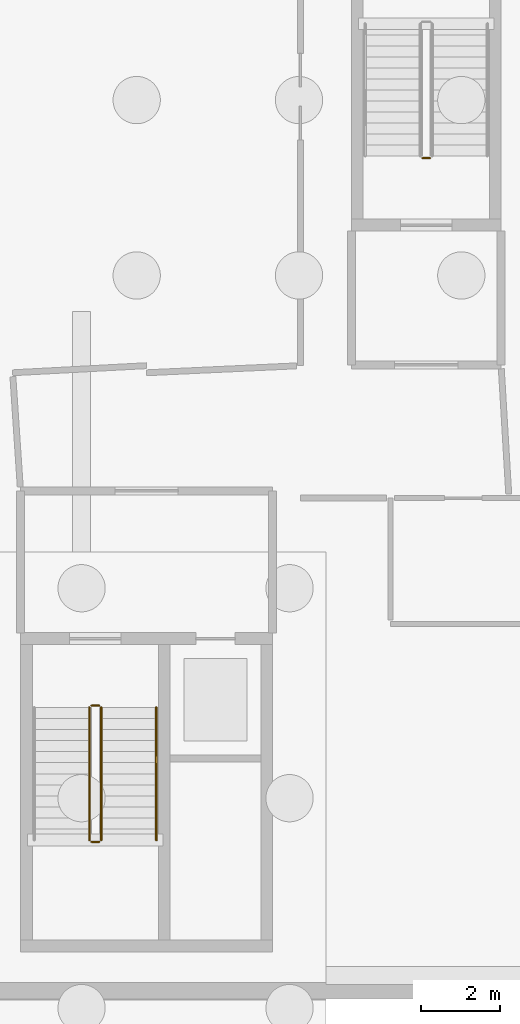
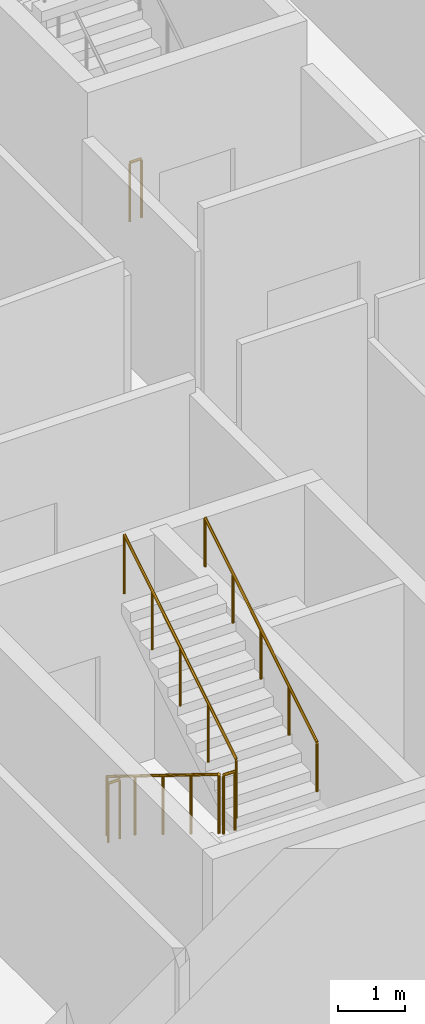
# One storey, part 28 of 40: 6 railings.
"""IFC4 building model written with IfcOpenShell, lengths in metres."""

from ifc_helpers import new_model, si_unit, direction, frame, origin, origin_2d, place, context, subcontext, project, spatial, circle, extrude, material, type_object, element, save


model = new_model("IFC4")

# Units and contexts
model_context = context("Model", 3, precision=1e-05, world=origin(), true_north=direction((0.0, 1.0)))
body_context = subcontext(model_context, "Body", "Model", "MODEL_VIEW")
ifc_project = project(units=[si_unit("LENGTHUNIT", "METRE"), si_unit("AREAUNIT", "SQUARE_METRE"), si_unit("VOLUMEUNIT", "CUBIC_METRE"), si_unit("PLANEANGLEUNIT", "RADIAN"), si_unit("MASSUNIT", "GRAM", prefix="KILO")], contexts=[model_context])

# Site, building, storey
site_placement = place(None, origin())
site = spatial("IfcSite", under=ifc_project, at=site_placement, CompositionType="ELEMENT")
building_placement = place(site_placement, origin())
building = spatial("IfcBuilding", under=site, at=building_placement, Name="Mzevani Central Library", CompositionType="ELEMENT")
storey_placement = place(building_placement, frame((0.0, 0.0, -4.5)))
storey = spatial("IfcBuildingStorey", under=building, at=storey_placement, Name="B1", CompositionType="ELEMENT", Elevation=-4.5)

# Railings
ifc_material = material(Name="Brushed stainless steel rail", Category="steel")
railing_type_1 = type_object("IfcRailingType", Name="Interior Gallery and Stair Guard 1100", PredefinedType="BALUSTRADE", material=ifc_material)
railing_1_placement = place(storey_placement, frame((40.449951171875, 21.0, 0.173095703125)))
element("IfcRailing", 1, at=railing_1_placement, inside=storey, type_object=railing_type_1, Name="B1 ST-07 stair guard 1", PredefinedType="BALUSTRADE", context=body_context, shape_type="SweptSolid", body=[
    extrude(circle(Radius=0.02392578125, at=origin_2d()), frame((0.0, 0.0, 1.076171875), z_axis=(0.0, -0.850623216509, 0.525775754039), x_axis=(1.0, 0.0, 0.0)), (0.0, 0.0, 1.0), 3.9501953125),
    extrude(circle(Radius=0.02099609375, at=origin_2d()), origin(), (0.0, 0.0, 1.0), 1.052001953125),
    extrude(circle(Radius=0.02099609375, at=origin_2d()), frame((0.0, -0.840087890625, 0.519287109375)), (0.0, 0.0, 1.0), 1.052001953125),
    extrude(circle(Radius=0.02099609375, at=origin_2d()), frame((0.0, -1.68017578125, 1.03857421875)), (0.0, 0.0, 1.0), 1.052001953125),
    extrude(circle(Radius=0.02099609375, at=origin_2d()), frame((0.0, -2.52001953125, 1.5576171875)), (0.0, 0.0, 1.0), 1.052001953125),
    extrude(circle(Radius=0.02099609375, at=origin_2d()), frame((0.0, -3.360107421875, 2.076904296875)), (0.0, 0.0, 1.0), 1.052001953125),
])
railing_2_placement = place(storey_placement, frame((40.5, 17.590087890625, 2.25)))
element("IfcRailing", 2, at=railing_2_placement, inside=storey, type_object=railing_type_1, Name="B1 ST-07 stair guard 2", PredefinedType="BALUSTRADE", context=body_context, shape_type="SweptSolid", body=[
    extrude(circle(Radius=0.02392578125, at=origin_2d()), frame((0.0, 0.0, 1.076171875), z_axis=(1.0, 0.0, 0.0), x_axis=(0.0, 1.0, 0.0)), (0.0, 0.0, 1.0), 0.199951171875),
    extrude(circle(Radius=0.02099609375, at=origin_2d()), origin(), (0.0, 0.0, 1.0), 1.052001953125),
    extrude(circle(Radius=0.02099609375, at=origin_2d()), frame((0.199951171875, 0.0, 0.0)), (0.0, 0.0, 1.0), 1.052001953125),
])
railing_3_placement = place(storey_placement, frame((40.75, 17.639892578125, 2.423095703125)))
element("IfcRailing", 3, at=railing_3_placement, inside=storey, type_object=railing_type_1, Name="B1 ST-07 stair guard 3", PredefinedType="BALUSTRADE", context=body_context, shape_type="SweptSolid", body=[
    extrude(circle(Radius=0.02392578125, at=origin_2d()), frame((0.0, 0.0, 1.076171875), z_axis=(0.0, 0.850623216509, 0.525775754039), x_axis=(-1.0, 0.0, 0.0)), (0.0, 0.0, 1.0), 3.9501953125),
    extrude(circle(Radius=0.02099609375, at=origin_2d()), origin(), (0.0, 0.0, 1.0), 1.052001953125),
    extrude(circle(Radius=0.02099609375, at=origin_2d()), frame((0.0, 0.840087890625, 0.519287109375)), (0.0, 0.0, 1.0), 1.052001953125),
    extrude(circle(Radius=0.02099609375, at=origin_2d()), frame((0.0, 1.68017578125, 1.03857421875)), (0.0, 0.0, 1.0), 1.052001953125),
    extrude(circle(Radius=0.02099609375, at=origin_2d()), frame((0.0, 2.52001953125, 1.5576171875)), (0.0, 0.0, 1.0), 1.052001953125),
    extrude(circle(Radius=0.02099609375, at=origin_2d()), frame((0.0, 3.360107421875, 2.076904296875)), (0.0, 0.0, 1.0), 1.052001953125),
])
railing_4_placement = place(storey_placement, frame((40.5, 21.050048828125, 0.0)))
element("IfcRailing", 4, at=railing_4_placement, inside=storey, type_object=railing_type_1, Name="B1 ST-07 stair guard 4", PredefinedType="BALUSTRADE", context=body_context, shape_type="SweptSolid", body=[
    extrude(circle(Radius=0.02392578125, at=origin_2d()), frame((0.0, 0.0, 1.076171875), z_axis=(1.0, 0.0, 0.0), x_axis=(0.0, 1.0, 0.0)), (0.0, 0.0, 1.0), 0.199951171875),
    extrude(circle(Radius=0.02099609375, at=origin_2d()), origin(), (0.0, 0.0, 1.0), 1.052001953125),
    extrude(circle(Radius=0.02099609375, at=origin_2d()), frame((0.199951171875, 0.0, 0.0)), (0.0, 0.0, 1.0), 1.052001953125),
])
railing_5_placement = place(storey_placement, frame((49.10009765625, 34.949951171875, 0.0)))
element("IfcRailing", 5, at=railing_5_placement, inside=storey, type_object=railing_type_1, Name="B1 ST-08 stair guard 4", PredefinedType="BALUSTRADE", context=body_context, shape_type="SweptSolid", body=[
    extrude(circle(Radius=0.02392578125, at=origin_2d()), frame((0.0, 0.0, 1.076171875), z_axis=(-1.0, 0.0, 0.0), x_axis=(0.0, -1.0, 0.0)), (0.0, 0.0, 1.0), 0.2001953125),
    extrude(circle(Radius=0.02099609375, at=origin_2d()), origin(), (0.0, 0.0, 1.0), 1.052001953125),
    extrude(circle(Radius=0.02099609375, at=origin_2d()), frame((-0.2001953125, 0.0, 0.0)), (0.0, 0.0, 1.0), 1.052001953125),
])
railing_type_2 = type_object("IfcRailingType", Name="Stair Wall Handrail 920", PredefinedType="HANDRAIL", material=ifc_material)
railing_6_placement = place(storey_placement, frame((42.14990234375, 17.639892578125, 2.423095703125)))
element("IfcRailing", 6, at=railing_6_placement, inside=storey, type_object=railing_type_2, Name="B1 ST-07 stair handrail 2", PredefinedType="HANDRAIL", context=body_context, shape_type="SweptSolid", body=[
    extrude(circle(Radius=0.02392578125, at=origin_2d()), frame((0.0, 0.0, 0.89599609375), z_axis=(0.0, 0.850623216509, 0.525775754039), x_axis=(-1.0, 0.0, 0.0)), (0.0, 0.0, 1.0), 3.9501953125),
    extrude(circle(Radius=0.02099609375, at=origin_2d()), origin(), (0.0, 0.0, 1.0), 0.871826171875),
    extrude(circle(Radius=0.02099609375, at=origin_2d()), frame((0.0, 0.840087890625, 0.519287109375)), (0.0, 0.0, 1.0), 0.871826171875),
    extrude(circle(Radius=0.02099609375, at=origin_2d()), frame((0.0, 1.68017578125, 1.03857421875)), (0.0, 0.0, 1.0), 0.871826171875),
    extrude(circle(Radius=0.02099609375, at=origin_2d()), frame((0.0, 2.52001953125, 1.5576171875)), (0.0, 0.0, 1.0), 0.871826171875),
    extrude(circle(Radius=0.02099609375, at=origin_2d()), frame((0.0, 3.360107421875, 2.076904296875)), (0.0, 0.0, 1.0), 0.871826171875),
])

save(model, "model.ifc")
